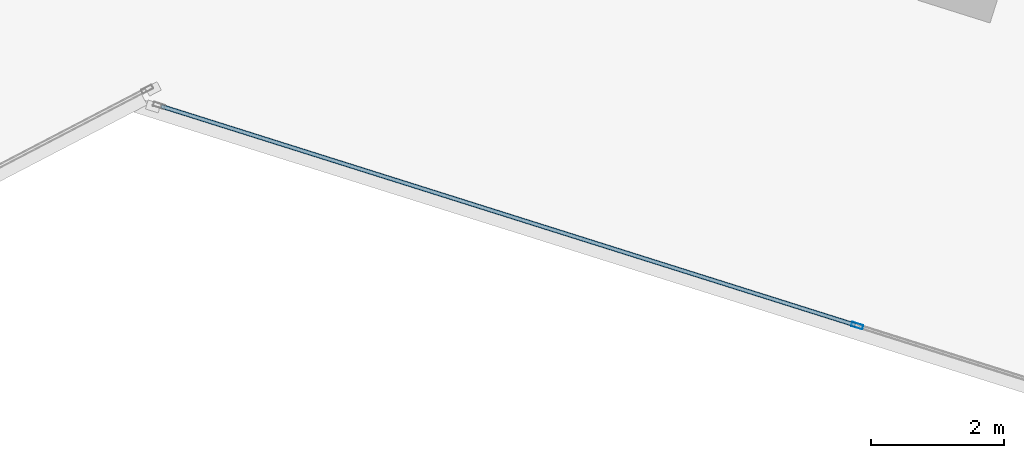
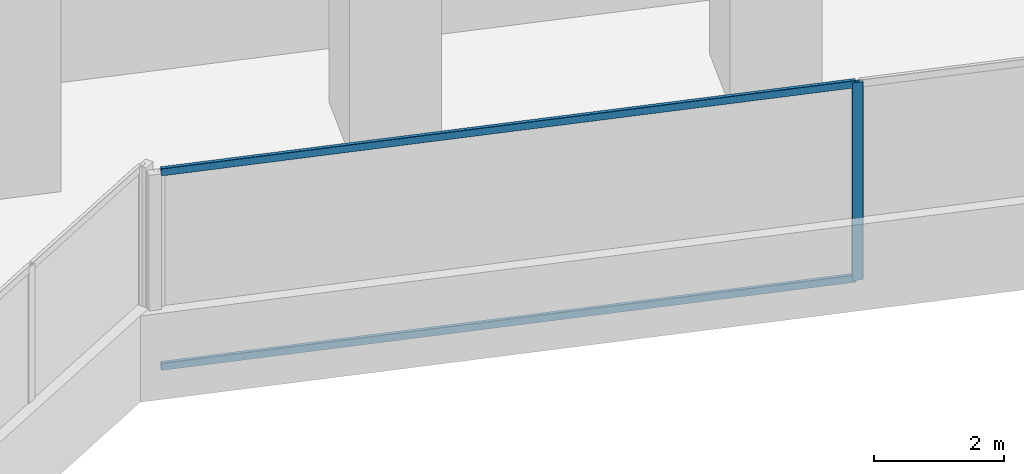
# One storey, part 7 of 28: 3 members, 1 element without a shape of its own.
"""IFC4 building model written with IfcOpenShell, lengths in metres."""

from ifc_helpers import new_model, si_unit, direction, frame, origin, origin_2d, place, context, subcontext, project, spatial, hollow_rectangle, extrude, source, transform, mapped, material, material_profile, profile_set, type_object, element, aggregate, save


model = new_model("IFC4")

# Units and contexts
model_context = context("Model", 3, precision=1e-05, world=origin(), true_north=direction((0.0, 1.0)))
body_context = subcontext(model_context, "Body", "Model", "MODEL_VIEW")
ifc_project = project(units=[si_unit("LENGTHUNIT", "METRE"), si_unit("AREAUNIT", "SQUARE_METRE"), si_unit("VOLUMEUNIT", "CUBIC_METRE"), si_unit("PLANEANGLEUNIT", "RADIAN"), si_unit("MASSUNIT", "GRAM", prefix="KILO")], contexts=[model_context])

# Site, building, storey
site_placement = place(None, origin())
site = spatial("IfcSite", under=ifc_project, at=site_placement, CompositionType="ELEMENT")
building_placement = place(site_placement, origin())
building = spatial("IfcBuilding", under=site, at=building_placement, Name="Torre Montelarca", CompositionType="ELEMENT")
storey_placement = place(building_placement, frame((0.0, 0.0, 112.60009765625)))
storey = spatial("IfcBuildingStorey", under=building, at=storey_placement, Name="L25", CompositionType="ELEMENT", Elevation=112.60009765625)

# Curtain wall, members
ifc_material_1 = material(Name="Insulated low-E laminated glass", Category="glass")
curtain_wall_type = type_object("IfcCurtainWallType", Name="CW-SYS-Z1", PredefinedType="USERDEFINED", material=ifc_material_1)
curtain_wall_placement = place(storey_placement, origin())
curtain_wall = element("IfcCurtainWall", 1, at=curtain_wall_placement, inside=storey, type_object=curtain_wall_type, Name="L25 Curtain Wall Run CW-T3-L25-E04-B1", ObjectType="UNITISED GLAZING", PredefinedType="USERDEFINED")
ifc_material_2 = material(Name="Anodised aluminium AA 6063-T6", Category="aluminium")
ifc_material_profile_1 = material_profile(ifc_material_2, hollow_rectangle(XDim=0.06494140625, YDim=0.139892578125, WallThickness=0.00390625, InnerFilletRadius=0.00390625, OuterFilletRadius=0.008056640625, at=origin_2d()), Name="ALU65X140X4", Category="aluminium")
ifc_profile_set_1 = profile_set([ifc_material_profile_1], Name="Anodised aluminium AA 6063-T6")
member_type_1 = type_object("IfcMemberType", Name="CWT-ALU140", PredefinedType="USERDEFINED", material=ifc_profile_set_1)
shared_shape_1 = source(origin(), body_context, "Body", "SweptSolid", [
    extrude(hollow_rectangle(XDim=0.06494140625, YDim=0.139892578125, WallThickness=0.00390625, InnerFilletRadius=0.00390625, OuterFilletRadius=0.008056640625, at=origin_2d()), origin(), (0.0, 0.0, 1.0), 10.948486328125),
])
member_1_placement = place(storey_placement, frame((32.369384765625, 14.239501953125, 0.032470703125), z_axis=(0.953719055971, -0.30069912251, 0.0), x_axis=(0.30069912251, 0.953719055971, 0.0)))
member_1 = element("IfcMember", 2, at=member_1_placement, type_object=member_type_1, Name="CW transom 1.1", ObjectType="TRANSOM", PredefinedType="USERDEFINED", context=body_context, shape_type="MappedRepresentation", body=[
    mapped(shared_shape_1, transform((0.0, 0.0, 0.0), scale=1.0)),
])
member_2_placement = place(storey_placement, frame((32.369384765625, 14.239501953125, 3.6875), z_axis=(0.953719055971, -0.30069912251, 0.0), x_axis=(0.30069912251, 0.953719055971, 0.0)))
member_2 = element("IfcMember", 3, at=member_2_placement, type_object=member_type_1, Name="CW transom 1.2", ObjectType="TRANSOM", PredefinedType="USERDEFINED", context=body_context, shape_type="MappedRepresentation", body=[
    mapped(shared_shape_1, transform((0.0, 0.0, 0.0), scale=1.0)),
])
ifc_material_profile_2 = material_profile(ifc_material_2, hollow_rectangle(XDim=0.06494140625, YDim=0.179931640625, WallThickness=0.00390625, InnerFilletRadius=0.00390625, OuterFilletRadius=0.008056640625, at=origin_2d()), Name="ALU65X180X4", Category="aluminium")
ifc_profile_set_2 = profile_set([ifc_material_profile_2], Name="Anodised aluminium AA 6063-T6")
member_type_2 = type_object("IfcMemberType", Name="CWM-ALU180", PredefinedType="MULLION", material=ifc_profile_set_2)
shared_shape_2 = source(origin(), body_context, "Body", "SweptSolid", [
    extrude(hollow_rectangle(XDim=0.06494140625, YDim=0.179931640625, WallThickness=0.00390625, InnerFilletRadius=0.00390625, OuterFilletRadius=0.008056640625, at=origin_2d()), origin(), (0.0, 0.0, 1.0), 3.719970703125),
])
member_3_placement = place(storey_placement, frame((42.84228515625, 10.9375, 0.0), z_axis=(0.0, 0.0, 1.0), x_axis=(0.300700885116, 0.953718500235, 0.0)))
member_3 = element("IfcMember", 4, at=member_3_placement, type_object=member_type_2, Name="CW mullion 2", PredefinedType="MULLION", context=body_context, shape_type="MappedRepresentation", body=[
    mapped(shared_shape_2, transform((0.0, 0.0, 0.0), scale=1.0)),
])
aggregate(curtain_wall, [member_3, member_1, member_2])

save(model, "model.ifc")
